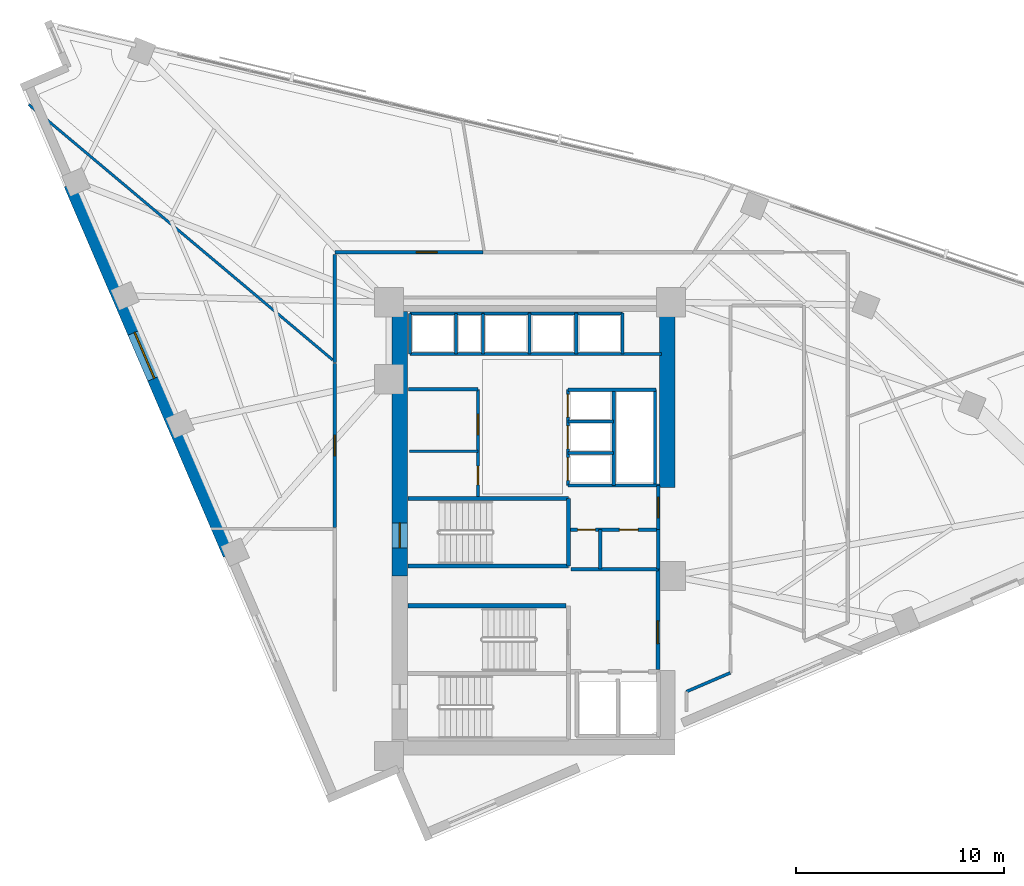
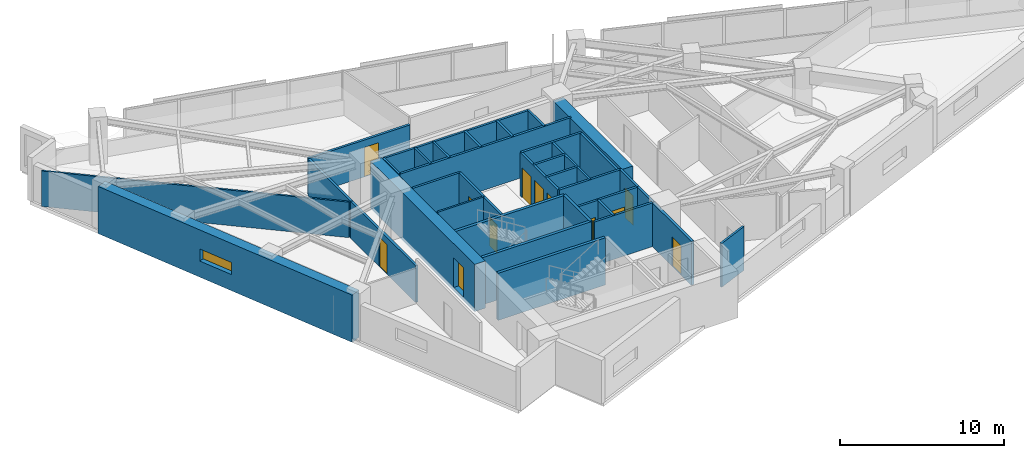
# One storey, part 9 of 14: 37 walls, 12 doors, 1 window, 13 openings.
"""IFC4 building model written with IfcOpenShell, lengths in metres."""

import ifcopenshell
import ifcopenshell.guid

model = None  # the IFC model being written
_history = None  # IfcOwnerHistory: only IFC2X3 demands one
_inside = {}  # id of a spatial element -> (the spatial element, [elements in it])
_under = {}  # id of a project, library or spatial element -> (it, [spatial elements below it])
_declared = {}  # id of a project -> (the project, [libraries it declares])
_typed = {}  # id of a type object -> (the type object, [elements of that type])
_made_of = {}  # id of a material, layer set ... -> (it, [elements and type objects made of it])


def new_model(schema):
    """Start an empty IFC model of exactly this schema.

    Asked for "IFC4X3", IfcOpenShell would pick the latest addendum, in which some entities
    have other attributes; the version numbers below select the first issue.
    IFC2X3 requires an IfcOwnerHistory on every rooted entity: one is made here for all.
    """
    global model, _history
    if schema == "IFC4X3":
        model = ifcopenshell.file(schema_version=(4, 3, 0, 0))
    else:
        model = ifcopenshell.file(schema=schema)
    _inside.clear()
    _under.clear()
    _declared.clear()
    _typed.clear()
    _made_of.clear()
    _history = None
    if model.schema == "IFC2X3":
        org = make("IfcOrganization", Name="unknown")
        user = make(
            "IfcPersonAndOrganization",
            ThePerson=make("IfcPerson", FamilyName="unknown"),
            TheOrganization=org,
        )
        app = make(
            "IfcApplication",
            ApplicationDeveloper=org,
            Version="unknown",
            ApplicationFullName="unknown",
            ApplicationIdentifier="unknown",
        )
        _history = make(
            "IfcOwnerHistory",
            OwningUser=user,
            OwningApplication=app,
            ChangeAction="ADDED",
            CreationDate=0,
        )
    return model


def make(cls, **values):
    """One entity of the class cls with the attributes given. An attribute that is None is left unset."""
    return model.create_entity(
        cls, **{name: value for name, value in values.items() if value is not None}
    )


def rooted(cls, **values):
    """An entity with a GlobalId (a new one), such as an element, a storey or a relation."""
    return make(cls, GlobalId=ifcopenshell.guid.new(), OwnerHistory=_history, **values)


def si_unit(unit_type, name, prefix=None):
    """IfcSIUnit, for example si_unit("LENGTHUNIT", "METRE", prefix="MILLI")."""
    return make("IfcSIUnit", UnitType=unit_type, Prefix=prefix, Name=name)


def assignment(units):
    """IfcUnitAssignment: the units of a project."""
    return None if units is None else make("IfcUnitAssignment", Units=units)


def point(xyz):
    """IfcCartesianPoint."""
    return None if xyz is None else make("IfcCartesianPoint", Coordinates=xyz)


def direction(xyz):
    """IfcDirection."""
    return None if xyz is None else make("IfcDirection", DirectionRatios=xyz)


def frame(location, z_axis=None, x_axis=None):
    """IfcAxis2Placement3D, a coordinate frame: its origin and axes. An axis left out is left unset."""
    return make(
        "IfcAxis2Placement3D",
        Location=point(location),
        Axis=direction(z_axis),
        RefDirection=direction(x_axis),
    )


def frame_2d(location, x_axis=None):
    """IfcAxis2Placement2D, a coordinate frame in the plane: its origin and x axis."""
    return make(
        "IfcAxis2Placement2D", Location=point(location), RefDirection=direction(x_axis)
    )


def origin():
    """The frame at (0, 0, 0) with its axes left unset."""
    return frame((0.0, 0.0, 0.0))


def place(relative_to, where):
    """IfcLocalPlacement: puts the frame where relative to a parent placement (None: the world)."""
    return make(
        "IfcLocalPlacement", PlacementRelTo=relative_to, RelativePlacement=where
    )


def context(
    kind, dimensions, precision=None, world=None, true_north=None, identifier=None
):
    """IfcGeometricRepresentationContext, for example the 3D "Model" context."""
    return make(
        "IfcGeometricRepresentationContext",
        ContextIdentifier=identifier,
        ContextType=kind,
        CoordinateSpaceDimension=dimensions,
        Precision=precision,
        WorldCoordinateSystem=world,
        TrueNorth=true_north,
    )


def subcontext(parent, identifier, kind, view, scale=None):
    """IfcGeometricRepresentationSubContext, for example "Body" below "Model"."""
    return make(
        "IfcGeometricRepresentationSubContext",
        ContextIdentifier=identifier,
        ContextType=kind,
        ParentContext=parent,
        TargetScale=scale,
        TargetView=view,
    )


def project(units=None, contexts=None):
    """IfcProject with its units and contexts."""
    return rooted(
        "IfcProject",
        Name="project",
        RepresentationContexts=contexts,
        UnitsInContext=assignment(units),
    )


def spatial(cls, under=None, at=None, **own):
    """A site, building, storey or space (cls), placed at a placement, below another one or the project."""
    s = rooted(cls, ObjectPlacement=at, **own)
    if under is not None:
        _under.setdefault(under.id(), (under, []))[1].append(s)
    return s


def profile(cls, at=None, kind="AREA", **sizes):
    """A parametric profile (cls). Its sizes go by their IFC names, for example OverallWidth=200.0."""
    return make(cls, ProfileType=kind, Position=at, **sizes)


def rectangle(**sizes):
    """IfcRectangleProfileDef."""
    return profile("IfcRectangleProfileDef", **sizes)


def extrude(swept, where, along, depth):
    """IfcExtrudedAreaSolid: the profile swept, set in the frame where, extruded along a direction by depth."""
    return make(
        "IfcExtrudedAreaSolid",
        SweptArea=swept,
        Position=where,
        ExtrudedDirection=direction(along),
        Depth=depth,
    )


def shape(context_of_items, identifier, shape_type, items):
    """IfcShapeRepresentation: the items that make up one representation, for example the "Body"."""
    return make(
        "IfcShapeRepresentation",
        ContextOfItems=context_of_items,
        RepresentationIdentifier=identifier,
        RepresentationType=shape_type,
        Items=items,
    )


def material(Name=None, Category=None):
    """IfcMaterial."""
    return make("IfcMaterial", Name=Name, Category=Category)


def layer(
    of_material, thickness, ventilated=None, Name=None, Category=None, Priority=None
):
    """IfcMaterialLayer: one layer of a wall or slab, of a material (None: an air gap)."""
    return make(
        "IfcMaterialLayer",
        Material=of_material,
        LayerThickness=thickness,
        IsVentilated=ventilated,
        Name=Name,
        Category=Category,
        Priority=Priority,
    )


def layer_set(layers, Name=None):
    """IfcMaterialLayerSet."""
    return make("IfcMaterialLayerSet", MaterialLayers=layers, LayerSetName=Name)


def made_of(thing, what):
    """Note that an element or type object is made of a material, layer set ...; save() writes the relation."""
    if what is not None:
        _made_of.setdefault(what.id(), (what, []))[1].append(thing)
    return thing


def type_object(cls, material=None, **own):
    """A type object (cls), such as IfcWallType, which elements share."""
    return made_of(rooted(cls, **own), material)


def element(
    cls,
    number,
    at=None,
    inside=None,
    cuts=None,
    type_object=None,
    material=None,
    context=None,
    identifier="Body",
    shape_type=None,
    held_by="IfcProductDefinitionShape",
    body=None,
    shapes=None,
    **own,
):
    """One element of the class cls, such as IfcWall. Its Tag is "e" and its number.

    at: its placement. inside: the storey or other place that contains it. cuts: it is an
    opening in that element (IfcRelVoidsElement). A single representation is given by context,
    identifier, shape_type and body (its items); several are given by shapes. held_by: the class
    of the entity that holds the representations. save() writes the other relations.
    """
    e = rooted(cls, Tag="e%d" % number, ObjectPlacement=at, **own)
    if body is not None:
        shapes = [shape(context, identifier, shape_type, body)]
    if shapes is not None:
        e.Representation = make(held_by, Representations=shapes)
    if inside is not None:
        _inside.setdefault(inside.id(), (inside, []))[1].append(e)
    if cuts is not None:
        rooted(
            "IfcRelVoidsElement", RelatingBuildingElement=cuts, RelatedOpeningElement=e
        )
    if type_object is not None:
        _typed.setdefault(type_object.id(), (type_object, []))[1].append(e)
    return made_of(e, material)


def fill(opening, filler):
    """IfcRelFillsElement: the door or window that sits in an opening."""
    return rooted(
        "IfcRelFillsElement",
        RelatingOpeningElement=opening,
        RelatedBuildingElement=filler,
    )


def aggregate(whole, parts):
    """IfcRelAggregates: a whole, such as a stair, and the parts it consists of."""
    return rooted("IfcRelAggregates", RelatingObject=whole, RelatedObjects=parts)


def save(model, path):
    """Write the relations noted so far, then the file.

    IfcRelAggregates (storeys below a building ...), IfcRelContainedInSpatialStructure (elements
    in a storey), IfcRelDefinesByType, IfcRelAssociatesMaterial and IfcRelDeclares: one each for
    every whole, place, type object, material and project.
    """
    for whole, parts in _under.values():
        aggregate(whole, parts)
    for where, things in _inside.values():
        rooted(
            "IfcRelContainedInSpatialStructure",
            RelatedElements=things,
            RelatingStructure=where,
        )
    for kind, things in _typed.values():
        rooted("IfcRelDefinesByType", RelatedObjects=things, RelatingType=kind)
    for what, things in _made_of.values():
        rooted("IfcRelAssociatesMaterial", RelatedObjects=things, RelatingMaterial=what)
    for by, libraries in _declared.values():
        rooted("IfcRelDeclares", RelatingContext=by, RelatedDefinitions=libraries)
    model.write(path)


model = new_model("IFC4")

# Units and contexts
model_context = context("Model", 3, precision=1e-05, world=origin(), true_north=direction((0.0, 1.0)))
body_context = subcontext(model_context, "Body", "Model", "MODEL_VIEW")
ifc_project = project(units=[si_unit("LENGTHUNIT", "METRE"), si_unit("AREAUNIT", "SQUARE_METRE"), si_unit("VOLUMEUNIT", "CUBIC_METRE"), si_unit("PLANEANGLEUNIT", "RADIAN"), si_unit("MASSUNIT", "GRAM", prefix="KILO")], contexts=[model_context])

# Site, building, storey
site_placement = place(None, origin())
site = spatial("IfcSite", under=ifc_project, at=site_placement, CompositionType="ELEMENT")
building_placement = place(site_placement, origin())
building = spatial("IfcBuilding", under=site, at=building_placement, Name="Narakoshi Arena Tower", CompositionType="ELEMENT")
storey_placement = place(building_placement, frame((0.0, 0.0, 182.6201171875)))
storey = spatial("IfcBuildingStorey", under=building, at=storey_placement, Name="L49", CompositionType="ELEMENT", Elevation=182.6201171875)

# Wall, opening, door
ifc_material_1 = material(Name="Concrete C50/60", Category="concrete")
ifc_layer_1 = layer(ifc_material_1, 0.75)
ifc_layer_set_1 = layer_set([ifc_layer_1], Name="Concrete C50/60")
wall_type_1 = type_object("IfcWallType", Name="WL-CORE-750", PredefinedType="SHEAR", material=ifc_layer_set_1)
wall_1_placement = place(storey_placement, frame((72.52490234375, 43.35009765625, -0.260009765625), z_axis=(0.0, 0.0, 1.0), x_axis=(0.0, 1.0, 0.0)))
wall_1 = element("IfcWall", 1, at=wall_1_placement, inside=storey, type_object=wall_type_1, Name="L49 Main Core Shear Wall CW-MN-W", PredefinedType="SHEAR", context=body_context, shape_type="SweptSolid", body=[
    extrude(rectangle(XDim=12.699951171875, YDim=0.75, at=frame_2d((6.35009765625, 0.0))), origin(), (0.0, 0.0, 1.0), 3.519775390625),
])
opening_1_placement = place(wall_1_placement, frame((1.35009765625, 0.0, 0.260009765625)))
opening_1 = element("IfcOpeningElement", 2, at=opening_1_placement, cuts=wall_1, Name="Opening D-03", PredefinedType="OPENING", context=body_context, shape_type="SweptSolid", body=[
    extrude(rectangle(XDim=1.199951171875, YDim=2.199951171875, at=frame_2d((0.60009765625, 1.10009765625))), frame((0.0, 0.385009765625, 0.0), z_axis=(0.0, -1.0, 0.0), x_axis=(1.0, 0.0, 0.0)), (0.0, 0.0, 1.0), 0.77001953125),
])
ifc_material_2 = material(Name="Painted galvanized steel", Category="steel")
door_type_1 = type_object("IfcDoorType", Name="DR-STR-1200", OperationType="NOTDEFINED", PredefinedType="USERDEFINED", material=ifc_material_2)
door_1_placement = place(opening_1_placement, frame((1.199951171875, 0.0, 0.0), z_axis=(0.0, 0.0, 1.0), x_axis=(-1.0, 0.0, 0.0)))
door_1 = element("IfcDoor", 3, at=door_1_placement, inside=storey, type_object=door_type_1, Name="DR-L49-006", ObjectType="EXITDOOR", OperationType="SINGLE_SWING_LEFT", OverallHeight=2.199951171875, OverallWidth=1.199951171875, PredefinedType="USERDEFINED", context=body_context, shape_type="SweptSolid", body=[
    extrude(rectangle(XDim=1.199951171875, YDim=2.199951171875, at=frame_2d((0.60009765625, 1.10009765625))), frame((0.0, 0.02490234375, 0.0), z_axis=(0.0, -1.0, 0.0), x_axis=(1.0, 0.0, 0.0)), (0.0, 0.0, 1.0), 0.050048828125),
])
fill(opening_1, door_1)

# Wall
wall_2_placement = place(storey_placement, frame((85.375, 47.60009765625, -0.260009765625), z_axis=(0.0, 0.0, 1.0), x_axis=(0.0, 1.0, 0.0)))
element("IfcWall", 4, at=wall_2_placement, inside=storey, type_object=wall_type_1, Name="L49 Main Core Shear Wall CW-MN-E", PredefinedType="SHEAR", context=body_context, shape_type="SweptSolid", body=[
    extrude(rectangle(XDim=8.449951171875, YDim=0.75, at=frame_2d((4.22509765625, 0.0))), origin(), (0.0, 0.0, 1.0), 3.519775390625),
])

# Wall, opening, door
ifc_material_3 = material(Name="Gypsum plasterboard fire-rated partition")
ifc_layer_2 = layer(ifc_material_3, 0.1650390625)
ifc_layer_set_2 = layer_set([ifc_layer_2], Name="Gypsum plasterboard fire-rated partition")
wall_type_2 = type_object("IfcWallType", Name="WL-CORR-165", PredefinedType="PARTITIONING", material=ifc_layer_set_2)
wall_3_placement = place(storey_placement, frame((84.949951171875, 45.580078125, 0.0), z_axis=(0.0, 0.0, 1.0), x_axis=(0.0, 1.0, 0.0)))
wall_3 = element("IfcWall", 5, at=wall_3_placement, inside=storey, type_object=wall_type_2, Name="L49 Core Wall CPAS-E", PredefinedType="PARTITIONING", context=body_context, shape_type="SweptSolid", body=[
    extrude(rectangle(XDim=2.119873046875, YDim=0.1650390625, at=frame_2d((1.06005859375, 0.0))), origin(), (0.0, 0.0, 1.0), 3.259765625),
])
opening_2_placement = place(wall_3_placement, frame((0.56005859375, 0.0, 0.0)))
opening_2 = element("IfcOpeningElement", 6, at=opening_2_placement, cuts=wall_3, Name="Opening D-06", PredefinedType="OPENING", context=body_context, shape_type="SweptSolid", body=[
    extrude(rectangle(XDim=1.0, YDim=2.199951171875, at=frame_2d((0.5, 1.10009765625))), frame((0.0, 0.092529296875, 0.0), z_axis=(0.0, -1.0, 0.0), x_axis=(1.0, 0.0, 0.0)), (0.0, 0.0, 1.0), 0.18505859375),
])
ifc_material_4 = material(Name="Stained oak solid-core timber", Category="wood")
door_type_2 = type_object("IfcDoorType", Name="DR-OFF-1000", OperationType="NOTDEFINED", PredefinedType="DOOR", material=ifc_material_4)
door_2_placement = place(opening_2_placement, frame((1.0, 0.0, 0.0), z_axis=(0.0, 0.0, 1.0), x_axis=(-1.0, 0.0, 0.0)))
door_2 = element("IfcDoor", 7, at=door_2_placement, inside=storey, type_object=door_type_2, Name="DR-L49-007", OperationType="SINGLE_SWING_LEFT", OverallHeight=2.199951171875, OverallWidth=1.0, PredefinedType="DOOR", context=body_context, shape_type="SweptSolid", body=[
    extrude(rectangle(XDim=1.0, YDim=2.199951171875, at=frame_2d((0.5, 1.10009765625))), frame((0.0, 0.02490234375, 0.0), z_axis=(0.0, -1.0, 0.0), x_axis=(1.0, 0.0, 0.0)), (0.0, 0.0, 1.0), 0.050048828125),
])
fill(opening_2, door_2)

wall_4_placement = place(storey_placement, frame((76.5263671875, 58.89990234375, 0.0), z_axis=(0.0, 0.0, 1.0), x_axis=(-1.0, 0.0, 0.0)))
wall_4 = element("IfcWall", 8, at=wall_4_placement, inside=storey, type_object=wall_type_2, Name="L49 Corridor Partition 08-1", PredefinedType="PARTITIONING", context=body_context, shape_type="SweptSolid", body=[
    extrude(rectangle(XDim=7.12646484375, YDim=0.1650390625, at=frame_2d((3.563232421875, 0.0))), origin(), (0.0, 0.0, 1.0), 2.744873046875),
])
opening_3_placement = place(wall_4_placement, frame((2.2041015625, 0.0, 0.0)))
opening_3 = element("IfcOpeningElement", 9, at=opening_3_placement, cuts=wall_4, Name="Opening D-06", PredefinedType="OPENING", context=body_context, shape_type="SweptSolid", body=[
    extrude(rectangle(XDim=1.0, YDim=2.199951171875, at=frame_2d((0.5, 1.10009765625))), frame((0.0, 0.092529296875, 0.0), z_axis=(0.0, -1.0, 0.0), x_axis=(1.0, 0.0, 0.0)), (0.0, 0.0, 1.0), 0.18505859375),
])
door_3_placement = place(opening_3_placement, frame((1.0, 0.0, 0.0), z_axis=(0.0, 0.0, 1.0), x_axis=(-1.0, 0.0, 0.0)))
door_3 = element("IfcDoor", 10, at=door_3_placement, inside=storey, type_object=door_type_2, Name="DR-L49-022", OperationType="SINGLE_SWING_RIGHT", OverallHeight=2.199951171875, OverallWidth=1.0, PredefinedType="DOOR", context=body_context, shape_type="SweptSolid", body=[
    extrude(rectangle(XDim=1.0, YDim=2.199951171875, at=frame_2d((0.5, 1.10009765625))), frame((0.0, 0.02490234375, 0.0), z_axis=(0.0, -1.0, 0.0), x_axis=(1.0, 0.0, 0.0)), (0.0, 0.0, 1.0), 0.050048828125),
])
fill(opening_3, door_3)

# Wall
wall_5_placement = place(storey_placement, frame((69.39990234375, 58.805419921875, 0.0), z_axis=(0.0, 0.0, 1.0), x_axis=(0.0, -1.0, 0.0)))
element("IfcWall", 11, at=wall_5_placement, inside=storey, type_object=wall_type_2, Name="L49 Corridor Partition 08-2", PredefinedType="PARTITIONING", context=body_context, shape_type="SweptSolid", body=[
    extrude(rectangle(XDim=5.203857421875, YDim=0.1650390625, at=frame_2d((2.60205078125, 0.0))), origin(), (0.0, 0.0, 1.0), 2.744873046875),
])

# Wall, opening, door
wall_6_placement = place(storey_placement, frame((69.39990234375, 53.570068359375, 0.0), z_axis=(0.0, 0.0, 1.0), x_axis=(0.0, -1.0, 0.0)))
wall_6 = element("IfcWall", 12, at=wall_6_placement, inside=storey, type_object=wall_type_2, Name="L49 Corridor Partition 09-1", PredefinedType="PARTITIONING", context=body_context, shape_type="SweptSolid", body=[
    extrude(rectangle(XDim=7.900634765625, YDim=0.1650390625, at=frame_2d((3.9501953125, 0.0))), origin(), (0.0, 0.0, 1.0), 2.744873046875),
])
opening_4_placement = place(wall_6_placement, frame((3.4501953125, 0.0, 0.0)))
opening_4 = element("IfcOpeningElement", 13, at=opening_4_placement, cuts=wall_6, Name="Opening D-06", PredefinedType="OPENING", context=body_context, shape_type="SweptSolid", body=[
    extrude(rectangle(XDim=1.0, YDim=2.199951171875, at=frame_2d((0.5, 1.10009765625))), frame((0.0, 0.092529296875, 0.0), z_axis=(0.0, -1.0, 0.0), x_axis=(1.0, 0.0, 0.0)), (0.0, 0.0, 1.0), 0.18505859375),
])
door_4_placement = place(opening_4_placement, frame((1.0, 0.0, 0.0), z_axis=(0.0, 0.0, 1.0), x_axis=(-1.0, 0.0, 0.0)))
door_4 = element("IfcDoor", 14, at=door_4_placement, inside=storey, type_object=door_type_2, Name="DR-L49-023", OperationType="SINGLE_SWING_LEFT", OverallHeight=2.199951171875, OverallWidth=1.0, PredefinedType="DOOR", context=body_context, shape_type="SweptSolid", body=[
    extrude(rectangle(XDim=1.0, YDim=2.199951171875, at=frame_2d((0.5, 1.10009765625))), frame((0.0, 0.02490234375, 0.0), z_axis=(0.0, -1.0, 0.0), x_axis=(1.0, 0.0, 0.0)), (0.0, 0.0, 1.0), 0.050048828125),
])
fill(opening_4, door_4)

# Wall, opening, window
ifc_material_5 = material(Name="Concrete C60/75", Category="concrete")
ifc_layer_3 = layer(ifc_material_5, 0.699951171875)
ifc_layer_set_3 = layer_set([ifc_layer_3], Name="Concrete C60/75")
wall_type_3 = type_object("IfcWallType", Name="WL-LEG-700", PredefinedType="SHEAR", material=ifc_layer_set_3)
wall_7_placement = place(storey_placement, frame((56.7275390625, 62.171875, -0.260009765625), z_axis=(0.0, 0.0, 1.0), x_axis=(0.394736752992, -0.918794261974, 0.0)))
wall_7 = element("IfcWall", 15, at=wall_7_placement, inside=storey, type_object=wall_type_3, Name="L49 Architectural Concrete Structural Wall LEGB-2", PredefinedType="SHEAR", context=body_context, shape_type="SweptSolid", body=[
    extrude(rectangle(XDim=19.3525390625, YDim=0.699951171875, at=frame_2d((9.67626953125, 0.0))), origin(), (0.0, 0.0, 1.0), 3.519775390625),
])
opening_5_placement = place(wall_7_placement, frame((7.747314453125, 0.0, 1.199951171875)))
opening_5 = element("IfcOpeningElement", 16, at=opening_5_placement, cuts=wall_7, Name="Opening WN-01", PredefinedType="OPENING", context=body_context, shape_type="SweptSolid", body=[
    extrude(rectangle(XDim=2.39990234375, YDim=0.89990234375, at=frame_2d((1.199951171875, 0.449951171875))), frame((0.0, 0.35986328125, 0.0), z_axis=(0.0, -1.0, 0.0), x_axis=(1.0, 0.0, 0.0)), (0.0, 0.0, 1.0), 0.719970703125),
])
ifc_material_6 = material(Name="Bronze-tinted low-E laminated glass", Category="glass")
window_type = type_object("IfcWindowType", Name="WIN-SLT-24x09", PartitioningType="SINGLE_PANEL", PredefinedType="WINDOW", material=ifc_material_6)
window_placement = place(opening_5_placement, origin())
window = element("IfcWindow", 17, at=window_placement, inside=storey, type_object=window_type, Name="L49 LEGB2 Horizontal Slot Window 1", OverallHeight=0.89990234375, OverallWidth=2.39990234375, PartitioningType="SINGLE_PANEL", PredefinedType="WINDOW", context=body_context, shape_type="SweptSolid", body=[
    extrude(rectangle(XDim=2.39990234375, YDim=0.89990234375, at=frame_2d((1.199951171875, 0.449951171875))), frame((0.0, 0.030029296875, 0.0), z_axis=(0.0, -1.0, 0.0), x_axis=(1.0, 0.0, 0.0)), (0.0, 0.0, 1.0), 0.06005859375),
])
fill(opening_5, window)

# Walls
ifc_layer_4 = layer(ifc_material_3, 0.125)
ifc_layer_set_4 = layer_set([ifc_layer_4], Name="Gypsum plasterboard fire-rated partition")
wall_type_4 = type_object("IfcWallType", Name="WL-PART-125", PredefinedType="PARTITIONING", material=ifc_layer_set_4)
wall_8_placement = place(storey_placement, frame((73.0, 49.35009765625, 0.0), z_axis=(0.0, 0.0, 1.0), x_axis=(1.0, 0.0, 0.0)))
element("IfcWall", 18, at=wall_8_placement, inside=storey, type_object=wall_type_4, Name="L49 Core Wall RCL-LR-D1", PredefinedType="PARTITIONING", context=body_context, shape_type="SweptSolid", body=[
    extrude(rectangle(XDim=3.280029296875, YDim=0.125, at=frame_2d((1.64013671875, 0.0))), origin(), (0.0, 0.0, 1.0), 3.259765625),
])
wall_9_placement = place(storey_placement, frame((69.305419921875, 53.728271484375, 0.0), z_axis=(0.0, 0.0, 1.0), x_axis=(-0.765630720535, 0.643280343065, 0.0)))
element("IfcWall", 19, at=wall_9_placement, inside=storey, type_object=wall_type_4, Name="L49 Inter-Room Partition 08-09", PredefinedType="PARTITIONING", context=body_context, shape_type="SweptSolid", body=[
    extrude(rectangle(XDim=19.072265625, YDim=0.125, at=frame_2d((9.5361328125, 0.0))), origin(), (0.0, 0.0, 1.0), 2.644775390625),
])
ifc_material_7 = material(Name="Concrete C40/50", Category="concrete")
ifc_layer_5 = layer(ifc_material_7, 0.280029296875)
ifc_layer_set_5 = layer_set([ifc_layer_5], Name="Concrete C40/50")
wall_type_5 = type_object("IfcWallType", Name="WL-RISER-280", PredefinedType="PLUMBINGWALL", material=ifc_layer_set_5)
wall_10_placement = place(storey_placement, frame((84.949951171875, 43.679931640625, 0.0), z_axis=(0.0, 0.0, 1.0), x_axis=(0.0, 1.0, 0.0)))
element("IfcWall", 20, at=wall_10_placement, inside=storey, type_object=wall_type_5, Name="L49 Core Wall RSR-E", PredefinedType="PLUMBINGWALL", context=body_context, shape_type="SweptSolid", body=[
    extrude(rectangle(XDim=1.900146484375, YDim=0.1650390625, at=frame_2d((0.9501953125, 0.0))), origin(), (0.0, 0.0, 1.0), 3.259765625),
])

# Wall, openings, doors
wall_11_placement = place(storey_placement, frame((80.719970703125, 45.580078125, 0.0), z_axis=(0.0, 0.0, 1.0), x_axis=(1.0, 0.0, 0.0)))
wall_11 = element("IfcWall", 21, at=wall_11_placement, inside=storey, type_object=wall_type_5, Name="L49 Core Wall RSR-N", PredefinedType="PLUMBINGWALL", context=body_context, shape_type="SweptSolid", body=[
    extrude(rectangle(XDim=4.22998046875, YDim=0.159912109375, at=frame_2d((2.114990234375, 0.0))), origin(), (0.0, 0.0, 1.0), 3.259765625),
])
opening_6_placement = place(wall_11_placement, frame((0.35009765625, 0.0, 0.0)))
opening_6 = element("IfcOpeningElement", 22, at=opening_6_placement, cuts=wall_11, Name="Opening D-10", PredefinedType="OPENING", context=body_context, shape_type="SweptSolid", body=[
    extrude(rectangle(XDim=0.85009765625, YDim=2.050048828125, at=frame_2d((0.425048828125, 1.02490234375))), frame((0.0, 0.08984375, 0.0), z_axis=(0.0, -1.0, 0.0), x_axis=(1.0, 0.0, 0.0)), (0.0, 0.0, 1.0), 0.179931640625),
])
opening_7_placement = place(wall_11_placement, frame((2.35009765625, 0.0, 0.0)))
opening_7 = element("IfcOpeningElement", 23, at=opening_7_placement, cuts=wall_11, Name="Opening D-08", PredefinedType="OPENING", context=body_context, shape_type="SweptSolid", body=[
    extrude(rectangle(XDim=0.89990234375, YDim=2.10009765625, at=frame_2d((0.449951171875, 1.050048828125))), frame((0.0, 0.08984375, 0.0), z_axis=(0.0, -1.0, 0.0), x_axis=(1.0, 0.0, 0.0)), (0.0, 0.0, 1.0), 0.179931640625),
])
door_type_3 = type_object("IfcDoorType", Name="DR-RSR-850", OperationType="NOTDEFINED", PredefinedType="DOOR", material=ifc_material_2)
door_5_placement = place(opening_6_placement, frame((0.85009765625, 0.0, 0.0), z_axis=(0.0, 0.0, 1.0), x_axis=(-1.0, 0.0, 0.0)))
door_5 = element("IfcDoor", 24, at=door_5_placement, inside=storey, type_object=door_type_3, Name="DR-L49-008", OperationType="SINGLE_SWING_LEFT", OverallHeight=2.050048828125, OverallWidth=0.85009765625, PredefinedType="DOOR", context=body_context, shape_type="SweptSolid", body=[
    extrude(rectangle(XDim=0.85009765625, YDim=2.050048828125, at=frame_2d((0.425048828125, 1.02490234375))), frame((0.0, 0.02490234375, 0.0), z_axis=(0.0, -1.0, 0.0), x_axis=(1.0, 0.0, 0.0)), (0.0, 0.0, 1.0), 0.050048828125),
])
fill(opening_6, door_5)
ifc_material_8 = material(Name="Moisture-resistant laminate timber", Category="wood")
door_type_4 = type_object("IfcDoorType", Name="DR-WC-900", OperationType="NOTDEFINED", PredefinedType="DOOR", material=ifc_material_8)
door_6_placement = place(opening_7_placement, frame((0.89990234375, 0.0, 0.0), z_axis=(0.0, 0.0, 1.0), x_axis=(-1.0, 0.0, 0.0)))
door_6 = element("IfcDoor", 25, at=door_6_placement, inside=storey, type_object=door_type_4, Name="DR-L49-009", OperationType="SINGLE_SWING_RIGHT", OverallHeight=2.10009765625, OverallWidth=0.89990234375, PredefinedType="DOOR", context=body_context, shape_type="SweptSolid", body=[
    extrude(rectangle(XDim=0.89990234375, YDim=2.10009765625, at=frame_2d((0.449951171875, 1.050048828125))), frame((0.0, 0.02490234375, 0.0), z_axis=(0.0, -1.0, 0.0), x_axis=(1.0, 0.0, 0.0)), (0.0, 0.0, 1.0), 0.050048828125),
])
fill(opening_7, door_6)

# Walls
wall_12_placement = place(storey_placement, frame((80.760009765625, 43.679931640625, 0.0), z_axis=(0.0, 0.0, 1.0), x_axis=(1.0, 0.0, 0.0)))
element("IfcWall", 26, at=wall_12_placement, inside=storey, type_object=wall_type_5, Name="L49 Core Wall RSR-S", PredefinedType="PLUMBINGWALL", context=body_context, shape_type="SweptSolid", body=[
    extrude(rectangle(XDim=4.18994140625, YDim=0.159912109375, at=frame_2d((2.094970703125, 0.0))), origin(), (0.0, 0.0, 1.0), 3.259765625),
])
wall_13_placement = place(storey_placement, frame((82.14990234375, 43.679931640625, 0.0), z_axis=(0.0, 0.0, 1.0), x_axis=(0.0, 1.0, 0.0)))
element("IfcWall", 27, at=wall_13_placement, inside=storey, type_object=wall_type_5, Name="L49 Core Wall RSR-M", PredefinedType="PLUMBINGWALL", context=body_context, shape_type="SweptSolid", body=[
    extrude(rectangle(XDim=1.900146484375, YDim=0.159912109375, at=frame_2d((0.9501953125, 0.0))), origin(), (0.0, 0.0, 1.0), 3.259765625),
])
for number, where, z_axis, x_axis, name in (
    (28, (80.60009765625, 49.260009765625, 0.0), (0.0, 0.0, 1.0), (1.0, 0.0, 0.0), "L49 Core Wall MR-D1"),
    (29, (80.60009765625, 50.780029296875, 0.0), (0.0, 0.0, 1.0), (1.0, 0.0, 0.0), "L49 Core Wall MR-D2"),
):
    element("IfcWall", number, at=place(storey_placement, frame(where, z_axis=z_axis, x_axis=x_axis)), inside=storey, type_object=wall_type_5, Name=name, PredefinedType="PLUMBINGWALL", context=body_context, shape_type="SweptSolid", body=[
        extrude(rectangle(XDim=2.199951171875, YDim=0.14990234375, at=frame_2d((1.10009765625, 0.0))), origin(), (0.0, 0.0, 1.0), 3.259765625),
    ])
wall_14_placement = place(storey_placement, frame((82.800048828125, 47.699951171875, 0.0), z_axis=(0.0, 0.0, 1.0), x_axis=(0.0, 1.0, 0.0)))
element("IfcWall", 30, at=wall_14_placement, inside=storey, type_object=wall_type_5, Name="L49 Core Wall MR-E", PredefinedType="PLUMBINGWALL", context=body_context, shape_type="SweptSolid", body=[
    extrude(rectangle(XDim=4.60009765625, YDim=0.14990234375, at=frame_2d((2.300048828125, 0.0))), origin(), (0.0, 0.0, 1.0), 3.259765625),
])
for number, where, z_axis, x_axis, name in (
    (31, (73.02001953125, 54.02001953125, 0.0), (0.0, 0.0, 1.0), (0.0, 1.0, 0.0), "L49 Core Wall OBS-W"),
    (32, (75.219970703125, 54.02001953125, 0.0), (0.0, 0.0, 1.0), (0.0, 1.0, 0.0), "L49 Core Wall OBS-M"),
):
    element("IfcWall", number, at=place(storey_placement, frame(where, z_axis=z_axis, x_axis=x_axis)), inside=storey, type_object=wall_type_5, Name=name, PredefinedType="PLUMBINGWALL", context=body_context, shape_type="SweptSolid", body=[
        extrude(rectangle(XDim=1.93994140625, YDim=0.14990234375, at=frame_2d((0.969970703125, 0.0))), origin(), (0.0, 0.0, 1.0), 3.259765625),
    ])
for number, where, z_axis, x_axis, name in (
    (33, (78.75, 54.02001953125, 0.0), (0.0, 0.0, 1.0), (0.0, 1.0, 0.0), "L49 Core Wall HR-D1"),
    (34, (81.0, 54.02001953125, 0.0), (0.0, 0.0, 1.0), (0.0, 1.0, 0.0), "L49 Core Wall HR-D2"),
):
    element("IfcWall", number, at=place(storey_placement, frame(where, z_axis=z_axis, x_axis=x_axis)), inside=storey, type_object=wall_type_5, Name=name, PredefinedType="PLUMBINGWALL", context=body_context, shape_type="SweptSolid", body=[
        extrude(rectangle(XDim=1.9599609375, YDim=0.14990234375, at=frame_2d((0.97998046875, 0.0))), origin(), (0.0, 0.0, 1.0), 3.259765625),
    ])

# Wall, opening, door
ifc_layer_6 = layer(ifc_material_1, 0.35009765625)
ifc_layer_set_6 = layer_set([ifc_layer_6], Name="Concrete C50/60")
wall_type_6 = type_object("IfcWallType", Name="WL-SHAFT-350", PredefinedType="SOLIDWALL", material=ifc_layer_set_6)
wall_15_placement = place(storey_placement, frame((84.919921875, 38.85009765625, 0.0), z_axis=(0.0, 0.0, 1.0), x_axis=(0.0, 1.0, 0.0)))
wall_15 = element("IfcWall", 35, at=wall_15_placement, inside=storey, type_object=wall_type_6, Name="L49 Core Wall FFLOB-E", PredefinedType="SOLIDWALL", context=body_context, shape_type="SweptSolid", body=[
    extrude(rectangle(XDim=4.829833984375, YDim=0.199951171875, at=frame_2d((2.4150390625, 0.0))), origin(), (0.0, 0.0, 1.0), 3.259765625),
])
opening_8_placement = place(wall_15_placement, frame((1.25, 0.0, 0.0)))
opening_8 = element("IfcOpeningElement", 36, at=opening_8_placement, cuts=wall_15, Name="Opening D-04", PredefinedType="OPENING", context=body_context, shape_type="SweptSolid", body=[
    extrude(rectangle(XDim=1.10009765625, YDim=2.199951171875, at=frame_2d((0.550048828125, 1.10009765625))), frame((0.0, 0.10986328125, 0.0), z_axis=(0.0, -1.0, 0.0), x_axis=(1.0, 0.0, 0.0)), (0.0, 0.0, 1.0), 0.219970703125),
])
door_type_5 = type_object("IfcDoorType", Name="DR-FFL-1100", OperationType="NOTDEFINED", PredefinedType="DOOR", material=ifc_material_2)
door_7_placement = place(opening_8_placement, frame((1.10009765625, 0.0, 0.0), z_axis=(0.0, 0.0, 1.0), x_axis=(-1.0, 0.0, 0.0)))
door_7 = element("IfcDoor", 37, at=door_7_placement, inside=storey, type_object=door_type_5, Name="DR-L49-005", OperationType="SINGLE_SWING_RIGHT", OverallHeight=2.199951171875, OverallWidth=1.10009765625, PredefinedType="DOOR", context=body_context, shape_type="SweptSolid", body=[
    extrude(rectangle(XDim=1.10009765625, YDim=2.199951171875, at=frame_2d((0.550048828125, 1.10009765625))), frame((0.0, 0.02490234375, 0.0), z_axis=(0.0, -1.0, 0.0), x_axis=(1.0, 0.0, 0.0)), (0.0, 0.0, 1.0), 0.050048828125),
])
fill(opening_8, door_7)

# Walls
wall_16_placement = place(storey_placement, frame((72.919921875, 41.919921875, -0.260009765625), z_axis=(0.0, 0.0, 1.0), x_axis=(1.0, 0.0, 0.0)))
element("IfcWall", 38, at=wall_16_placement, inside=storey, type_object=wall_type_6, Name="L49 Core Wall ST2-N", PredefinedType="SOLIDWALL", context=body_context, shape_type="SweptSolid", body=[
    extrude(rectangle(XDim=7.580078125, YDim=0.199951171875, at=frame_2d((3.7900390625, 0.0))), origin(), (0.0, 0.0, 1.0), 3.519775390625),
])
for number, where, z_axis, x_axis, name in (
    (39, (72.919921875, 43.830078125, -0.260009765625), (0.0, 0.0, 1.0), (1.0, 0.0, 0.0), "L49 Core Wall ST3-S"),
    (40, (72.919921875, 47.070068359375, -0.260009765625), (0.0, 0.0, 1.0), (1.0, 0.0, 0.0), "L49 Core Wall ST3-N"),
):
    element("IfcWall", number, at=place(storey_placement, frame(where, z_axis=z_axis, x_axis=x_axis)), inside=storey, type_object=wall_type_6, Name=name, PredefinedType="SOLIDWALL", context=body_context, shape_type="SweptSolid", body=[
        extrude(rectangle(XDim=7.7001953125, YDim=0.199951171875, at=frame_2d((3.85009765625, 0.0))), origin(), (0.0, 0.0, 1.0), 3.519775390625),
    ])
wall_17_placement = place(storey_placement, frame((80.6201171875, 43.830078125, -0.260009765625), z_axis=(0.0, 0.0, 1.0), x_axis=(0.0, 1.0, 0.0)))
element("IfcWall", 41, at=wall_17_placement, inside=storey, type_object=wall_type_6, Name="L49 Core Wall ST3-E", PredefinedType="SOLIDWALL", context=body_context, shape_type="SweptSolid", body=[
    extrude(rectangle(XDim=3.239990234375, YDim=0.199951171875, at=frame_2d((1.6201171875, 0.0))), origin(), (0.0, 0.0, 1.0), 3.519775390625),
])

# Wall, openings, doors
wall_18_placement = place(storey_placement, frame((76.280029296875, 47.179931640625, 0.0), z_axis=(0.0, 0.0, 1.0), x_axis=(0.0, 1.0, 0.0)))
wall_18 = element("IfcWall", 42, at=wall_18_placement, inside=storey, type_object=wall_type_6, Name="L49 Core Wall LR-E", PredefinedType="SOLIDWALL", context=body_context, shape_type="SweptSolid", body=[
    extrude(rectangle(XDim=5.14013671875, YDim=0.159912109375, at=frame_2d((2.570068359375, 0.0))), origin(), (0.0, 0.0, 1.0), 3.259765625),
])
opening_9_placement = place(wall_18_placement, frame((0.550048828125, 0.0, 0.0)))
opening_9 = element("IfcOpeningElement", 43, at=opening_9_placement, cuts=wall_18, Name="Opening D-08", PredefinedType="OPENING", context=body_context, shape_type="SweptSolid", body=[
    extrude(rectangle(XDim=0.89990234375, YDim=2.10009765625, at=frame_2d((0.449951171875, 1.050048828125))), frame((0.0, 0.08984375, 0.0), z_axis=(0.0, -1.0, 0.0), x_axis=(1.0, 0.0, 0.0)), (0.0, 0.0, 1.0), 0.179931640625),
])
opening_10_placement = place(wall_18_placement, frame((2.949951171875, 0.0, 0.0)))
opening_10 = element("IfcOpeningElement", 44, at=opening_10_placement, cuts=wall_18, Name="Opening D-06", PredefinedType="OPENING", context=body_context, shape_type="SweptSolid", body=[
    extrude(rectangle(XDim=1.0, YDim=2.199951171875, at=frame_2d((0.5, 1.10009765625))), frame((0.0, 0.08984375, 0.0), z_axis=(0.0, -1.0, 0.0), x_axis=(1.0, 0.0, 0.0)), (0.0, 0.0, 1.0), 0.179931640625),
])
door_8_placement = place(opening_10_placement, frame((1.0, 0.0, 0.0), z_axis=(0.0, 0.0, 1.0), x_axis=(-1.0, 0.0, 0.0)))
door_8 = element("IfcDoor", 45, at=door_8_placement, inside=storey, type_object=door_type_2, Name="DR-L49-011", OperationType="SINGLE_SWING_LEFT", OverallHeight=2.199951171875, OverallWidth=1.0, PredefinedType="DOOR", context=body_context, shape_type="SweptSolid", body=[
    extrude(rectangle(XDim=1.0, YDim=2.199951171875, at=frame_2d((0.5, 1.10009765625))), frame((0.0, 0.02490234375, 0.0), z_axis=(0.0, -1.0, 0.0), x_axis=(1.0, 0.0, 0.0)), (0.0, 0.0, 1.0), 0.050048828125),
])
fill(opening_10, door_8)
door_9_placement = place(opening_9_placement, frame((0.89990234375, 0.0, 0.0), z_axis=(0.0, 0.0, 1.0), x_axis=(-1.0, 0.0, 0.0)))
door_9 = element("IfcDoor", 46, at=door_9_placement, inside=storey, type_object=door_type_4, Name="DR-L49-010", OperationType="SINGLE_SWING_RIGHT", OverallHeight=2.10009765625, OverallWidth=0.89990234375, PredefinedType="DOOR", context=body_context, shape_type="SweptSolid", body=[
    extrude(rectangle(XDim=0.89990234375, YDim=2.10009765625, at=frame_2d((0.449951171875, 1.050048828125))), frame((0.0, 0.02490234375, 0.0), z_axis=(0.0, -1.0, 0.0), x_axis=(1.0, 0.0, 0.0)), (0.0, 0.0, 1.0), 0.050048828125),
])
fill(opening_9, door_9)

# Wall
wall_19_placement = place(storey_placement, frame((72.949951171875, 52.320068359375, 0.0), z_axis=(0.0, 0.0, 1.0), x_axis=(1.0, 0.0, 0.0)))
element("IfcWall", 47, at=wall_19_placement, inside=storey, type_object=wall_type_6, Name="L49 Core Wall LR-N", PredefinedType="SOLIDWALL", context=body_context, shape_type="SweptSolid", body=[
    extrude(rectangle(XDim=3.330078125, YDim=0.14990234375, at=frame_2d((1.6650390625, 0.0))), origin(), (0.0, 0.0, 1.0), 3.259765625),
])

# Wall, openings, doors
wall_20_placement = place(storey_placement, frame((80.60009765625, 47.699951171875, 0.0), z_axis=(0.0, 0.0, 1.0), x_axis=(0.0, 1.0, 0.0)))
wall_20 = element("IfcWall", 48, at=wall_20_placement, inside=storey, type_object=wall_type_6, Name="L49 Core Wall MR-W", PredefinedType="SOLIDWALL", context=body_context, shape_type="SweptSolid", body=[
    extrude(rectangle(XDim=4.60009765625, YDim=0.159912109375, at=frame_2d((2.300048828125, 0.0))), origin(), (0.0, 0.0, 1.0), 3.259765625),
])
opening_11_placement = place(wall_20_placement, frame((0.239990234375, 0.0, 0.0)))
opening_11 = element("IfcOpeningElement", 49, at=opening_11_placement, cuts=wall_20, Name="Opening LD-01", PredefinedType="OPENING", context=body_context, shape_type="SweptSolid", body=[
    extrude(rectangle(XDim=1.10009765625, YDim=2.25, at=frame_2d((0.550048828125, 1.125))), frame((0.0, 0.08984375, 0.0), z_axis=(0.0, -1.0, 0.0), x_axis=(1.0, 0.0, 0.0)), (0.0, 0.0, 1.0), 0.179931640625),
])
opening_12_placement = place(wall_20_placement, frame((1.760009765625, 0.0, 0.0)))
opening_12 = element("IfcOpeningElement", 50, at=opening_12_placement, cuts=wall_20, Name="Opening LD-01", PredefinedType="OPENING", context=body_context, shape_type="SweptSolid", body=[
    extrude(rectangle(XDim=1.10009765625, YDim=2.25, at=frame_2d((0.550048828125, 1.125))), frame((0.0, 0.08984375, 0.0), z_axis=(0.0, -1.0, 0.0), x_axis=(1.0, 0.0, 0.0)), (0.0, 0.0, 1.0), 0.179931640625),
])
opening_13_placement = place(wall_20_placement, frame((3.280029296875, 0.0, 0.0)))
opening_13 = element("IfcOpeningElement", 51, at=opening_13_placement, cuts=wall_20, Name="Opening LD-01", PredefinedType="OPENING", context=body_context, shape_type="SweptSolid", body=[
    extrude(rectangle(XDim=1.10009765625, YDim=2.25, at=frame_2d((0.550048828125, 1.125))), frame((0.0, 0.08984375, 0.0), z_axis=(0.0, -1.0, 0.0), x_axis=(1.0, 0.0, 0.0)), (0.0, 0.0, 1.0), 0.179931640625),
])
ifc_material_9 = material(Name="Brushed bronze stainless steel", Category="steel")
door_type_6 = type_object("IfcDoorType", Name="DR-LFT-1100", OperationType="DOUBLE_DOOR_SLIDING", PredefinedType="DOOR", material=ifc_material_9)
door_10_placement = place(opening_11_placement, frame((1.10009765625, 0.0, 0.0), z_axis=(0.0, 0.0, 1.0), x_axis=(-1.0, 0.0, 0.0)))
door_10 = element("IfcDoor", 52, at=door_10_placement, inside=storey, type_object=door_type_6, Name="DR-L49-012", OperationType="DOUBLE_DOOR_SLIDING", OverallHeight=2.25, OverallWidth=1.10009765625, PredefinedType="DOOR", context=body_context, shape_type="SweptSolid", body=[
    extrude(rectangle(XDim=1.10009765625, YDim=2.25, at=frame_2d((0.550048828125, 1.125))), frame((0.0, 0.02490234375, 0.0), z_axis=(0.0, -1.0, 0.0), x_axis=(1.0, 0.0, 0.0)), (0.0, 0.0, 1.0), 0.050048828125),
])
fill(opening_11, door_10)
door_11_placement = place(opening_12_placement, frame((1.10009765625, 0.0, 0.0), z_axis=(0.0, 0.0, 1.0), x_axis=(-1.0, 0.0, 0.0)))
door_11 = element("IfcDoor", 53, at=door_11_placement, inside=storey, type_object=door_type_6, Name="DR-L49-013", OperationType="DOUBLE_DOOR_SLIDING", OverallHeight=2.25, OverallWidth=1.10009765625, PredefinedType="DOOR", context=body_context, shape_type="SweptSolid", body=[
    extrude(rectangle(XDim=1.10009765625, YDim=2.25, at=frame_2d((0.550048828125, 1.125))), frame((0.0, 0.02490234375, 0.0), z_axis=(0.0, -1.0, 0.0), x_axis=(1.0, 0.0, 0.0)), (0.0, 0.0, 1.0), 0.050048828125),
])
fill(opening_12, door_11)
door_12_placement = place(opening_13_placement, frame((1.10009765625, 0.0, 0.0), z_axis=(0.0, 0.0, 1.0), x_axis=(-1.0, 0.0, 0.0)))
door_12 = element("IfcDoor", 54, at=door_12_placement, inside=storey, type_object=door_type_6, Name="DR-L49-014", OperationType="DOUBLE_DOOR_SLIDING", OverallHeight=2.25, OverallWidth=1.10009765625, PredefinedType="DOOR", context=body_context, shape_type="SweptSolid", body=[
    extrude(rectangle(XDim=1.10009765625, YDim=2.25, at=frame_2d((0.550048828125, 1.125))), frame((0.0, 0.02490234375, 0.0), z_axis=(0.0, -1.0, 0.0), x_axis=(1.0, 0.0, 0.0)), (0.0, 0.0, 1.0), 0.050048828125),
])
fill(opening_13, door_12)

# Walls
wall_21_placement = place(storey_placement, frame((80.60009765625, 47.699951171875, 0.0), z_axis=(0.0, 0.0, 1.0), x_axis=(1.0, 0.0, 0.0)))
element("IfcWall", 55, at=wall_21_placement, inside=storey, type_object=wall_type_6, Name="L49 Core Wall MR-S", PredefinedType="SOLIDWALL", context=body_context, shape_type="SweptSolid", body=[
    extrude(rectangle(XDim=4.39990234375, YDim=0.159912109375, at=frame_2d((2.199951171875, 0.0))), origin(), (0.0, 0.0, 1.0), 3.259765625),
])
wall_22_placement = place(storey_placement, frame((80.60009765625, 52.300048828125, 0.0), z_axis=(0.0, 0.0, 1.0), x_axis=(1.0, 0.0, 0.0)))
element("IfcWall", 56, at=wall_22_placement, inside=storey, type_object=wall_type_6, Name="L49 Core Wall MR-N", PredefinedType="SOLIDWALL", context=body_context, shape_type="SweptSolid", body=[
    extrude(rectangle(XDim=4.219970703125, YDim=0.159912109375, at=frame_2d((2.10986328125, 0.0))), origin(), (0.0, 0.0, 1.0), 3.259765625),
])
wall_23_placement = place(storey_placement, frame((84.780029296875, 47.699951171875, 0.0), z_axis=(0.0, 0.0, 1.0), x_axis=(0.0, 1.0, 0.0)))
element("IfcWall", 57, at=wall_23_placement, inside=storey, type_object=wall_type_6, Name="L49 Core Wall MR-E2", PredefinedType="SOLIDWALL", context=body_context, shape_type="SweptSolid", body=[
    extrude(rectangle(XDim=4.60009765625, YDim=0.159912109375, at=frame_2d((2.300048828125, 0.0))), origin(), (0.0, 0.0, 1.0), 3.259765625),
])
wall_24_placement = place(storey_placement, frame((73.02001953125, 54.02001953125, 0.0), z_axis=(0.0, 0.0, 1.0), x_axis=(1.0, 0.0, 0.0)))
element("IfcWall", 58, at=wall_24_placement, inside=storey, type_object=wall_type_6, Name="L49 Core Wall NSHF-S", PredefinedType="SOLIDWALL", context=body_context, shape_type="SweptSolid", body=[
    extrude(rectangle(XDim=12.080078125, YDim=0.159912109375, at=frame_2d((6.0400390625, 0.0))), origin(), (0.0, 0.0, 1.0), 3.259765625),
])
wall_25_placement = place(storey_placement, frame((73.02001953125, 55.9599609375, 0.0), z_axis=(0.0, 0.0, 1.0), x_axis=(1.0, 0.0, 0.0)))
element("IfcWall", 59, at=wall_25_placement, inside=storey, type_object=wall_type_6, Name="L49 Core Wall OBS-N", PredefinedType="SOLIDWALL", context=body_context, shape_type="SweptSolid", body=[
    extrude(rectangle(XDim=3.5, YDim=0.14990234375, at=frame_2d((1.75, 0.0))), origin(), (0.0, 0.0, 1.0), 3.259765625),
])
wall_26_placement = place(storey_placement, frame((76.52001953125, 54.02001953125, 0.0), z_axis=(0.0, 0.0, 1.0), x_axis=(0.0, 1.0, 0.0)))
element("IfcWall", 60, at=wall_26_placement, inside=storey, type_object=wall_type_6, Name="L49 Core Wall OBS-E", PredefinedType="SOLIDWALL", context=body_context, shape_type="SweptSolid", body=[
    extrude(rectangle(XDim=1.93994140625, YDim=0.14990234375, at=frame_2d((0.969970703125, 0.0))), origin(), (0.0, 0.0, 1.0), 3.259765625),
])
wall_27_placement = place(storey_placement, frame((83.219970703125, 54.02001953125, 0.0), z_axis=(0.0, 0.0, 1.0), x_axis=(0.0, 1.0, 0.0)))
element("IfcWall", 61, at=wall_27_placement, inside=storey, type_object=wall_type_6, Name="L49 Core Wall HR-E", PredefinedType="SOLIDWALL", context=body_context, shape_type="SweptSolid", body=[
    extrude(rectangle(XDim=1.9599609375, YDim=0.14990234375, at=frame_2d((0.97998046875, 0.0))), origin(), (0.0, 0.0, 1.0), 3.259765625),
])
wall_28_placement = place(storey_placement, frame((76.52001953125, 55.9599609375, 0.0), z_axis=(0.0, 0.0, 1.0), x_axis=(1.0, 0.0, 0.0)))
element("IfcWall", 62, at=wall_28_placement, inside=storey, type_object=wall_type_6, Name="L49 Core Wall HR-N", PredefinedType="SOLIDWALL", context=body_context, shape_type="SweptSolid", body=[
    extrude(rectangle(XDim=6.699951171875, YDim=0.14990234375, at=frame_2d((3.35009765625, 0.0))), origin(), (0.0, 0.0, 1.0), 3.259765625),
])
ifc_material_10 = material(Name="Moisture-resistant cement-board partition")
ifc_layer_7 = layer(ifc_material_10, 0.14501953125)
ifc_layer_set_7 = layer_set([ifc_layer_7], Name="Moisture-resistant cement-board partition")
wall_type_7 = type_object("IfcWallType", Name="WL-WET-145", PredefinedType="PARTITIONING", material=ifc_layer_set_7)
wall_29_placement = place(storey_placement, frame((86.300048828125, 37.797119140625, 0.0), z_axis=(0.0, 0.0, 1.0), x_axis=(0.918802105609, 0.39471849555, 0.0)))
element("IfcWall", 63, at=wall_29_placement, inside=storey, type_object=wall_type_7, Name="L49 Corridor Partition 02-2", PredefinedType="PARTITIONING", context=body_context, shape_type="SweptSolid", body=[
    extrude(rectangle(XDim=2.285400390625, YDim=0.14501953125, at=frame_2d((1.142578125, 0.0))), origin(), (0.0, 0.0, 1.0), 3.259765625),
])

save(model, "model.ifc")
